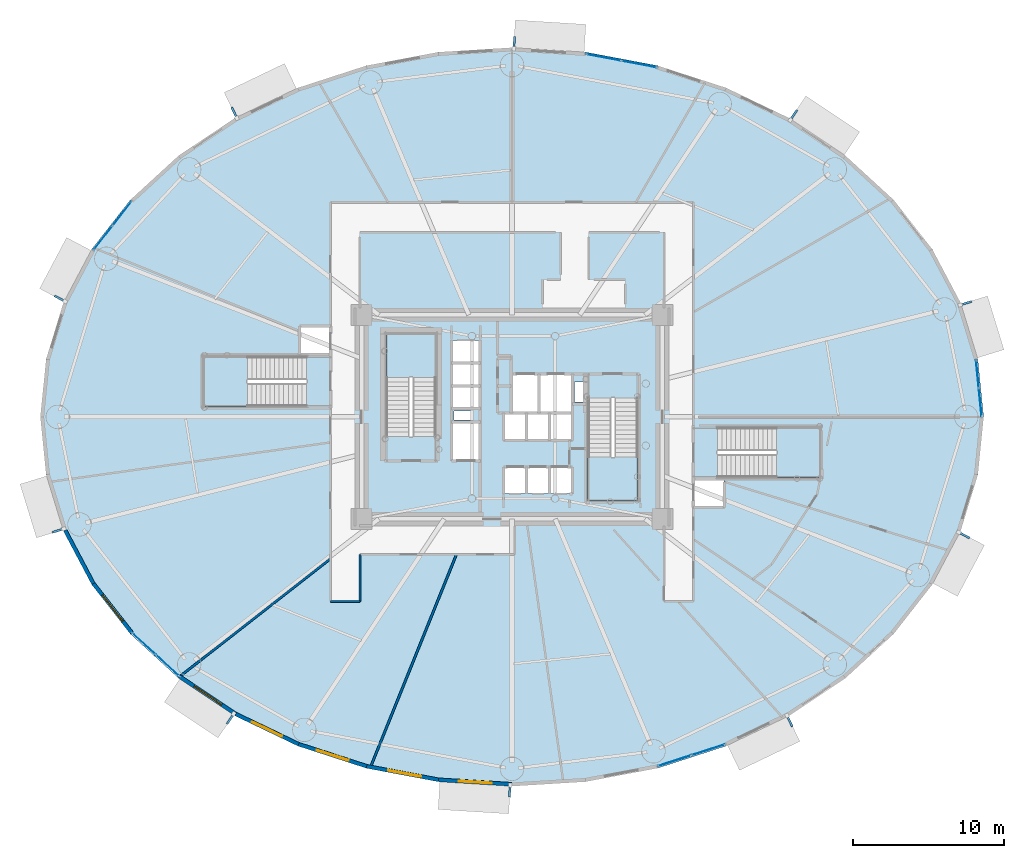
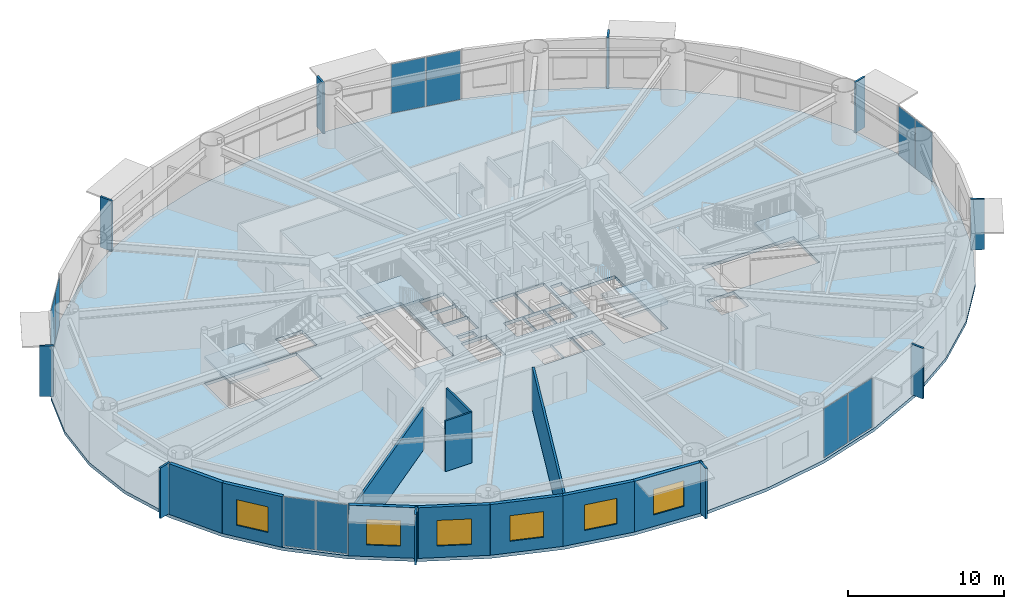
# One storey, part 12 of 29: 20 plates, 11 walls, 6 windows, 5 slabs, 6 openings, 9 elements without a shape of their own.
"""IFC4 building model written with IfcOpenShell, lengths in metres."""

from ifc_helpers import new_model, si_unit, direction, frame, frame_2d, origin, origin_2d, place, context, subcontext, project, spatial, polyline, rectangle, outline, extrude, source, transform, mapped, material, layer, layer_set, type_object, element, fill, aggregate, save


model = new_model("IFC4")

# Units and contexts
model_context = context("Model", 3, precision=1e-05, world=origin(), true_north=direction((0.0, 1.0)))
body_context = subcontext(model_context, "Body", "Model", "MODEL_VIEW")
ifc_project = project(units=[si_unit("LENGTHUNIT", "METRE"), si_unit("AREAUNIT", "SQUARE_METRE"), si_unit("VOLUMEUNIT", "CUBIC_METRE"), si_unit("PLANEANGLEUNIT", "RADIAN"), si_unit("MASSUNIT", "GRAM", prefix="KILO")], contexts=[model_context])

# Site, building, storey
site_placement = place(None, origin())
site = spatial("IfcSite", under=ifc_project, at=site_placement, CompositionType="ELEMENT")
building_placement = place(site_placement, origin())
building = spatial("IfcBuilding", under=site, at=building_placement, Name="Linh Dai School and Residence Tower", CompositionType="ELEMENT")
storey_placement = place(building_placement, frame((0.0, 0.0, 45.0)))
storey = spatial("IfcBuildingStorey", under=building, at=storey_placement, Name="L10", CompositionType="ELEMENT", Elevation=45.0)

# Slab
ifc_material_1 = material(Name="Concrete B45 (C35/45)", Category="concrete")
ifc_layer_1 = layer(ifc_material_1, 0.25)
ifc_layer_set_1 = layer_set([ifc_layer_1], Name="Concrete B45 (C35/45)")
slab_type_1 = type_object("IfcSlabType", Name="SLB-FLR250", PredefinedType="FLOOR", material=ifc_layer_set_1)
slab_1_placement = place(storey_placement, frame((0.0, 0.0, -0.25)))
element("IfcSlab", 1, at=slab_1_placement, inside=storey, type_object=slab_type_1, Name="L10 Composite Structural Floor Slab", PredefinedType="FLOOR", context=body_context, shape_type="SweptSolid", body=[
    extrude(outline(polyline([(67.199951171875, 27.0), (66.81591796875, 30.82177734375), (65.6728515625, 34.54931640625), (63.79931640625, 38.091064453125), (61.2412109375, 41.359619140625), (58.061767578125, 44.274658203125), (54.3388671875, 46.764404296875), (50.16455078125, 48.767333984375), (45.641357421875, 50.234375), (40.880859375, 51.129150390625), (36.0, 51.429931640625), (31.119140625, 51.129150390625), (26.358642578125, 50.234375), (21.83544921875, 48.767333984375), (17.6611328125, 46.764404296875), (13.938232421875, 44.274658203125), (10.7587890625, 41.359619140625), (8.20068359375, 38.091064453125), (6.3271484375, 34.54931640625), (5.18408203125, 30.82177734375), (4.800048828125, 27.0), (5.18408203125, 23.17822265625), (6.3271484375, 19.45068359375), (8.20068359375, 15.908935546875), (10.7587890625, 12.640380859375), (13.938232421875, 9.725341796875), (17.6611328125, 7.235595703125), (21.83544921875, 5.232666015625), (26.358642578125, 3.765625), (31.119140625, 2.870849609375), (36.0, 2.570068359375), (40.880859375, 2.870849609375), (45.641357421875, 3.765625), (50.16455078125, 5.232666015625), (54.3388671875, 7.235595703125), (58.061767578125, 9.725341796875), (61.2412109375, 12.640380859375), (63.79931640625, 15.908935546875), (65.6728515625, 19.45068359375), (66.81591796875, 23.17822265625), (67.199951171875, 27.0)]), holes=[polyline([(30.97998046875, 25.699951171875), (30.97998046875, 32.5), (27.679931640625, 32.5), (27.679931640625, 25.699951171875), (30.97998046875, 25.699951171875)]), polyline([(41.02001953125, 28.25), (41.02001953125, 21.449951171875), (44.320068359375, 21.449951171875), (44.320068359375, 28.25), (41.02001953125, 28.25)]), polyline([(22.39990234375, 31.0), (15.60009765625, 31.0), (15.60009765625, 27.699951171875), (22.39990234375, 27.699951171875), (22.39990234375, 31.0)]), polyline([(49.60009765625, 23.0), (56.39990234375, 23.0), (56.39990234375, 26.300048828125), (49.60009765625, 26.300048828125), (49.60009765625, 23.0)]), polyline([(35.97998046875, 27.280029296875), (37.77001953125, 27.280029296875), (37.77001953125, 29.820068359375), (35.97998046875, 29.820068359375), (35.97998046875, 27.280029296875)]), polyline([(32.030029296875, 24.1298828125), (33.8701171875, 24.1298828125), (33.8701171875, 26.6201171875), (32.030029296875, 26.6201171875), (32.030029296875, 24.1298828125)]), polyline([(37.830078125, 27.280029296875), (39.969970703125, 27.280029296875), (39.969970703125, 29.820068359375), (37.830078125, 29.820068359375), (37.830078125, 27.280029296875)]), polyline([(35.47998046875, 21.929931640625), (36.929931640625, 21.929931640625), (36.929931640625, 23.669921875), (35.47998046875, 23.669921875), (35.47998046875, 21.929931640625)]), polyline([(36.989990234375, 21.929931640625), (38.449951171875, 21.929931640625), (38.449951171875, 23.669921875), (36.989990234375, 23.669921875), (36.989990234375, 21.929931640625)]), polyline([(38.510009765625, 21.929931640625), (39.969970703125, 21.929931640625), (39.969970703125, 23.669921875), (38.510009765625, 23.669921875), (38.510009765625, 21.929931640625)]), polyline([(32.030029296875, 27.580078125), (33.8701171875, 27.580078125), (33.8701171875, 29.030029296875), (32.030029296875, 29.030029296875), (32.030029296875, 27.580078125)]), polyline([(32.030029296875, 29.090087890625), (33.8701171875, 29.090087890625), (33.8701171875, 30.550048828125), (32.030029296875, 30.550048828125), (32.030029296875, 29.090087890625)]), polyline([(32.030029296875, 30.610107421875), (33.8701171875, 30.610107421875), (33.8701171875, 32.070068359375), (32.030029296875, 32.070068359375), (32.030029296875, 30.610107421875)]), polyline([(35.47998046875, 25.47998046875), (36.929931640625, 25.47998046875), (36.929931640625, 27.219970703125), (35.47998046875, 27.219970703125), (35.47998046875, 25.47998046875)]), polyline([(36.989990234375, 25.47998046875), (38.449951171875, 25.47998046875), (38.449951171875, 27.219970703125), (36.989990234375, 27.219970703125), (36.989990234375, 25.47998046875)]), polyline([(38.510009765625, 25.47998046875), (39.969970703125, 25.47998046875), (39.969970703125, 27.219970703125), (38.510009765625, 27.219970703125), (38.510009765625, 25.47998046875)]), polyline([(21.97998046875, 31.080078125), (23.969970703125, 31.080078125), (23.969970703125, 32.969970703125), (21.97998046875, 32.969970703125), (21.97998046875, 31.080078125)]), polyline([(48.030029296875, 21.030029296875), (50.02001953125, 21.030029296875), (50.02001953125, 22.919921875), (48.030029296875, 22.919921875), (48.030029296875, 21.030029296875)]), polyline([(40.14990234375, 28.0), (40.14990234375, 29.300048828125), (41.0, 29.300048828125), (41.0, 28.280029296875), (40.989990234375, 28.280029296875), (40.989990234375, 28.0), (40.14990234375, 28.0)]), polyline([(32.14990234375, 26.800048828125), (33.35009765625, 26.800048828125), (33.35009765625, 27.39990234375), (32.14990234375, 27.39990234375), (32.14990234375, 26.800048828125)])]), origin(), (0.0, 0.0, 1.0), 0.25),
])

# Stair, slab
stair_type = type_object("IfcStairType", Name="ST-DOG-1550-R1500", PredefinedType="HALF_TURN_STAIR", material=ifc_material_1)
stair_1_placement = place(storey_placement, origin())
stair_1 = element("IfcStair", 2, at=stair_1_placement, inside=storey, type_object=stair_type, Name="L10 Core Smokeproof Exit Stair ST1", PredefinedType="HALF_TURN_STAIR")
ifc_layer_2 = layer(ifc_material_1, 0.199951171875)
ifc_layer_set_2 = layer_set([ifc_layer_2], Name="Concrete B45 (C35/45)")
slab_type_2 = type_object("IfcSlabType", Name="SLB-ST-LANDING-200", PredefinedType="LANDING", material=ifc_layer_set_2)
slab_2_placement = place(storey_placement, frame((0.0, 0.0, 1.89990234375)))
slab_2 = element("IfcSlab", 3, at=slab_2_placement, type_object=slab_type_2, Name="ST1 landing 1", PredefinedType="LANDING", context=body_context, shape_type="SweptSolid", body=[
    extrude(outline(polyline([(30.97998046875, 29.60009765625), (30.97998046875, 32.5), (27.679931640625, 32.5), (27.679931640625, 29.60009765625), (30.97998046875, 29.60009765625)])), origin(), (0.0, 0.0, 1.0), 0.2001953125),
])
aggregate(stair_1, [slab_2])

stair_2_placement = place(storey_placement, origin())
stair_2 = element("IfcStair", 4, at=stair_2_placement, inside=storey, type_object=stair_type, Name="L10 Core Smokeproof Exit Stair ST2", PredefinedType="HALF_TURN_STAIR")
slab_3_placement = place(storey_placement, frame((0.0, 0.0, 1.89990234375)))
slab_3 = element("IfcSlab", 5, at=slab_3_placement, type_object=slab_type_2, Name="ST2 landing 1", PredefinedType="LANDING", context=body_context, shape_type="SweptSolid", body=[
    extrude(outline(polyline([(41.02001953125, 24.35009765625), (41.02001953125, 21.449951171875), (44.320068359375, 21.449951171875), (44.320068359375, 24.35009765625), (41.02001953125, 24.35009765625)])), origin(), (0.0, 0.0, 1.0), 0.2001953125),
])
aggregate(stair_2, [slab_3])

stair_3_placement = place(storey_placement, origin())
stair_3 = element("IfcStair", 6, at=stair_3_placement, inside=storey, type_object=stair_type, Name="L10 School Exit Stair STS1", PredefinedType="HALF_TURN_STAIR")
slab_4_placement = place(storey_placement, frame((0.0, 0.0, 1.89990234375)))
slab_4 = element("IfcSlab", 7, at=slab_4_placement, type_object=slab_type_2, Name="STS1 landing 1", PredefinedType="LANDING", context=body_context, shape_type="SweptSolid", body=[
    extrude(outline(polyline([(18.5, 31.0), (15.60009765625, 31.0), (15.60009765625, 27.699951171875), (18.5, 27.699951171875), (18.5, 31.0)])), origin(), (0.0, 0.0, 1.0), 0.2001953125),
])
aggregate(stair_3, [slab_4])

stair_4_placement = place(storey_placement, origin())
stair_4 = element("IfcStair", 8, at=stair_4_placement, inside=storey, type_object=stair_type, Name="L10 School Exit Stair STS2", PredefinedType="HALF_TURN_STAIR")
slab_5_placement = place(storey_placement, frame((0.0, 0.0, 1.89990234375)))
slab_5 = element("IfcSlab", 9, at=slab_5_placement, type_object=slab_type_2, Name="STS2 landing 1", PredefinedType="LANDING", context=body_context, shape_type="SweptSolid", body=[
    extrude(outline(polyline([(53.5, 23.0), (56.39990234375, 23.0), (56.39990234375, 26.300048828125), (53.5, 26.300048828125), (53.5, 23.0)])), origin(), (0.0, 0.0, 1.0), 0.2001953125),
])
aggregate(stair_4, [slab_5])

# Curtain wall, plates
ifc_material_2 = material(Name="Aluminium Anodised Curtain Wall", Category="aluminium")
ifc_layer_3 = layer(ifc_material_2, 0.159912109375)
ifc_layer_set_3 = layer_set([ifc_layer_3], Name="Aluminium Anodised Curtain Wall")
curtain_wall_type = type_object("IfcCurtainWallType", Name="CW-SYS-3", PredefinedType="USERDEFINED", material=ifc_layer_set_3)
curtain_wall_1_placement = place(storey_placement, origin())
curtain_wall_1 = element("IfcCurtainWall", 10, at=curtain_wall_1_placement, inside=storey, type_object=curtain_wall_type, Name="L10 CW3 Curtain Wall 01", ObjectType="RIBBON CURTAIN WALL", PredefinedType="USERDEFINED")
ifc_material_3 = material(Name="Double Low-E Insulated Glazing", Category="glass")
ifc_layer_4 = layer(ifc_material_3, 0.028076171875)
ifc_layer_set_4 = layer_set([ifc_layer_4], Name="Double Low-E Insulated Glazing")
plate_type_1 = type_object("IfcPlateType", Name="CW-SYS-3-PAN", PredefinedType="CURTAIN_PANEL", material=ifc_layer_set_4)
shared_shape_1 = source(origin(), body_context, "Body", "SweptSolid", [
    extrude(rectangle(XDim=1.825439453125, YDim=0.028076171875, at=origin_2d()), origin(), (0.0, 0.0, 1.0), 3.840087890625),
])
plate_1_placement = place(storey_placement, frame((66.7900390625, 29.833984375, 0.05517578125), z_axis=(0.0, 0.0, 1.0), x_axis=(0.100009387998, -0.994986493533, 0.0)))
plate_1 = element("IfcPlate", 11, at=plate_1_placement, type_object=plate_type_1, Name="CW3 panel 1.1", PredefinedType="CURTAIN_PANEL", context=body_context, shape_type="MappedRepresentation", body=[
    mapped(shared_shape_1, transform((0.0, 0.0, 0.0), x_axis=(1.0, 0.0, 0.0), y_axis=(0.0, 1.0, 0.0), z_axis=(0.0, 0.0, 1.0), scale=1.0)),
])
plate_2_placement = place(storey_placement, frame((66.978271484375, 27.962890625, 0.05517578125), z_axis=(0.0, 0.0, 1.0), x_axis=(0.100009387998, -0.994986493533, 0.0)))
plate_2 = element("IfcPlate", 12, at=plate_2_placement, type_object=plate_type_1, Name="CW3 panel 2.1", PredefinedType="CURTAIN_PANEL", context=body_context, shape_type="MappedRepresentation", body=[
    mapped(shared_shape_1, transform((0.0, 0.0, 0.0), x_axis=(1.0, 0.0, 0.0), y_axis=(0.0, 1.0, 0.0), z_axis=(0.0, 0.0, 1.0), scale=1.0)),
])
aggregate(curtain_wall_1, [plate_1, plate_2])

# Plates
ifc_material_4 = material(Name="Precast Concrete B45 (C35/45)", Category="concrete")
ifc_layer_5 = layer(ifc_material_4, 0.139892578125)
ifc_layer_set_5 = layer_set([ifc_layer_5], Name="Precast Concrete B45 (C35/45)")
plate_type_2 = type_object("IfcPlateType", Name="FIN-TC-900x140", PredefinedType="USERDEFINED", material=ifc_layer_set_5)
shared_shape_2 = source(origin(), body_context, "Body", "SweptSolid", [
    extrude(rectangle(XDim=0.89990234375, YDim=0.139892578125, at=origin_2d()), origin(), (0.0, 0.0, 1.0), 3.949951171875),
])
for number, where, z_axis, x_axis, name in (
    (13, (65.984619140625, 34.5068359375, 0.0), (0.0, 0.0, 1.0), (0.956067769001, 0.293145733514, 0.0), "L10 Precast Terracotta Radial Fin 02"),
    (14, (54.604736328125, 46.9296875, 0.0), (0.0, 0.0, 1.0), (0.555897899828, 0.831250578927, 0.0), "L10 Precast Terracotta Radial Fin 06"),
    (15, (36.14501953125, 51.706787109375, 0.0), (0.0, 0.0, 1.0), (0.061506595367, 0.998106677027, 0.0), "L10 Precast Terracotta Radial Fin 10"),
    (16, (17.65380859375, 47.0771484375, 0.0), (0.0, 0.0, 1.0), (-0.432603008528, 0.901584514626, 0.0), "L10 Precast Terracotta Radial Fin 14"),
    (17, (6.13623046875, 34.799072265625, 0.0), (0.0, 0.0, 1.0), (-0.883933862645, 0.467611940042, 0.0), "L10 Precast Terracotta Radial Fin 18"),
    (18, (6.015380859375, 19.4931640625, 0.0), (0.0, 0.0, 1.0), (-0.956067769001, -0.293145733514, 0.0), "L10 Precast Terracotta Radial Fin 22"),
    (19, (17.395263671875, 7.0703125, 0.0), (0.0, 0.0, 1.0), (-0.555897899828, -0.831250578927, 0.0), "L10 Precast Terracotta Radial Fin 26"),
    (20, (35.85498046875, 2.293212890625, 0.0), (0.0, 0.0, 1.0), (-0.061506595367, -0.998106677027, 0.0), "L10 Precast Terracotta Radial Fin 30"),
    (21, (54.34619140625, 6.9228515625, 0.0), (0.0, 0.0, 1.0), (0.432603008528, -0.901584514626, 0.0), "L10 Precast Terracotta Radial Fin 34"),
    (22, (65.86376953125, 19.200927734375, 0.0), (0.0, 0.0, 1.0), (0.883933862645, -0.467611940042, 0.0), "L10 Precast Terracotta Radial Fin 38"),
):
    element("IfcPlate", number, at=place(storey_placement, frame(where, z_axis=z_axis, x_axis=x_axis)), inside=storey, type_object=plate_type_2, Name=name, ObjectType="RADIAL FIN", PredefinedType="USERDEFINED", context=body_context, shape_type="MappedRepresentation", body=[
        mapped(shared_shape_2, transform((0.0, 0.0, 0.0), x_axis=(1.0, 0.0, 0.0), y_axis=(0.0, 1.0, 0.0), z_axis=(0.0, 0.0, 1.0), scale=1.0)),
    ])

# Curtain wall, plates
curtain_wall_2_placement = place(storey_placement, origin())
curtain_wall_2 = element("IfcCurtainWall", 23, at=curtain_wall_2_placement, inside=storey, type_object=curtain_wall_type, Name="L10 CW3 Curtain Wall 09", ObjectType="RIBBON CURTAIN WALL", PredefinedType="USERDEFINED")
shared_shape_3 = source(origin(), body_context, "Body", "SweptSolid", [
    extrude(rectangle(XDim=2.33154296875, YDim=0.028076171875, at=origin_2d()), origin(), (0.0, 0.0, 1.0), 3.840087890625),
])
plate_3_placement = place(storey_placement, frame((42.065185546875, 50.779541015625, 0.05517578125), z_axis=(0.0, 0.0, 1.0), x_axis=(0.982785935675, -0.184747948944, 0.0)))
plate_3 = element("IfcPlate", 24, at=plate_3_placement, type_object=plate_type_1, Name="CW3 panel 1.1", PredefinedType="CURTAIN_PANEL", context=body_context, shape_type="MappedRepresentation", body=[
    mapped(shared_shape_3, transform((0.0, 0.0, 0.0), x_axis=(1.0, 0.0, 0.0), y_axis=(0.0, 1.0, 0.0), z_axis=(0.0, 0.0, 1.0), scale=1.0)),
])
plate_4_placement = place(storey_placement, frame((44.41064453125, 50.338623046875, 0.05517578125), z_axis=(0.0, 0.0, 1.0), x_axis=(0.982785935675, -0.184747948944, 0.0)))
plate_4 = element("IfcPlate", 25, at=plate_4_placement, type_object=plate_type_1, Name="CW3 panel 2.1", PredefinedType="CURTAIN_PANEL", context=body_context, shape_type="MappedRepresentation", body=[
    mapped(shared_shape_3, transform((0.0, 0.0, 0.0), x_axis=(1.0, 0.0, 0.0), y_axis=(0.0, 1.0, 0.0), z_axis=(0.0, 0.0, 1.0), scale=1.0)),
])
aggregate(curtain_wall_2, [plate_3, plate_4])

curtain_wall_3_placement = place(storey_placement, origin())
curtain_wall_3 = element("IfcCurtainWall", 26, at=curtain_wall_3_placement, inside=storey, type_object=curtain_wall_type, Name="L10 CW3 Curtain Wall 17", ObjectType="RIBBON CURTAIN WALL", PredefinedType="USERDEFINED")
shared_shape_4 = source(origin(), body_context, "Body", "SweptSolid", [
    extrude(rectangle(XDim=1.982177734375, YDim=0.028076171875, at=origin_2d()), origin(), (0.0, 0.0, 1.0), 3.840087890625),
])
plate_5_placement = place(storey_placement, frame((8.9501953125, 38.8466796875, 0.05517578125), z_axis=(0.0, 0.0, 1.0), x_axis=(0.616319427785, 0.787496262172, 0.0)))
plate_5 = element("IfcPlate", 27, at=plate_5_placement, type_object=plate_type_1, Name="CW3 panel 1.1", PredefinedType="CURTAIN_PANEL", context=body_context, shape_type="MappedRepresentation", body=[
    mapped(shared_shape_4, transform((0.0, 0.0, 0.0), x_axis=(1.0, 0.0, 0.0), y_axis=(0.0, 1.0, 0.0), z_axis=(0.0, 0.0, 1.0), scale=1.0)),
])
plate_6_placement = place(storey_placement, frame((10.20556640625, 40.45068359375, 0.05517578125), z_axis=(0.0, 0.0, 1.0), x_axis=(0.616319427785, 0.787496262172, 0.0)))
plate_6 = element("IfcPlate", 28, at=plate_6_placement, type_object=plate_type_1, Name="CW3 panel 2.1", PredefinedType="CURTAIN_PANEL", context=body_context, shape_type="MappedRepresentation", body=[
    mapped(shared_shape_4, transform((0.0, 0.0, 0.0), x_axis=(1.0, 0.0, 0.0), y_axis=(0.0, 1.0, 0.0), z_axis=(0.0, 0.0, 1.0), scale=1.0)),
])
aggregate(curtain_wall_3, [plate_5, plate_6])

curtain_wall_4_placement = place(storey_placement, origin())
curtain_wall_4 = element("IfcCurtainWall", 29, at=curtain_wall_4_placement, inside=storey, type_object=curtain_wall_type, Name="L10 CW3 Curtain Wall 25", ObjectType="RIBBON CURTAIN WALL", PredefinedType="USERDEFINED")
shared_shape_5 = source(origin(), body_context, "Body", "SweptSolid", [
    extrude(rectangle(XDim=2.064453125, YDim=0.028076171875, at=origin_2d()), origin(), (0.0, 0.0, 1.0), 3.840087890625),
])
plate_7_placement = place(storey_placement, frame((13.2138671875, 10.55859375, 0.05517578125), z_axis=(0.0, 0.0, 1.0), x_axis=(-0.737113246362, 0.675769237268, 0.0)))
plate_7 = element("IfcPlate", 30, at=plate_7_placement, type_object=plate_type_1, Name="CW3 panel 1.1", PredefinedType="CURTAIN_PANEL", context=body_context, shape_type="MappedRepresentation", body=[
    mapped(shared_shape_5, transform((0.0, 0.0, 0.0), x_axis=(1.0, 0.0, 0.0), y_axis=(0.0, 1.0, 0.0), z_axis=(0.0, 0.0, 1.0), scale=1.0)),
])
plate_8_placement = place(storey_placement, frame((11.651611328125, 11.99072265625, 0.05517578125), z_axis=(0.0, 0.0, 1.0), x_axis=(-0.737113246362, 0.675769237268, 0.0)))
plate_8 = element("IfcPlate", 31, at=plate_8_placement, type_object=plate_type_1, Name="CW3 panel 2.1", PredefinedType="CURTAIN_PANEL", context=body_context, shape_type="MappedRepresentation", body=[
    mapped(shared_shape_5, transform((0.0, 0.0, 0.0), x_axis=(1.0, 0.0, 0.0), y_axis=(0.0, 1.0, 0.0), z_axis=(0.0, 0.0, 1.0), scale=1.0)),
])
aggregate(curtain_wall_4, [plate_7, plate_8])

curtain_wall_5_placement = place(storey_placement, origin())
curtain_wall_5 = element("IfcCurtainWall", 32, at=curtain_wall_5_placement, inside=storey, type_object=curtain_wall_type, Name="L10 CW3 Curtain Wall 33", ObjectType="RIBBON CURTAIN WALL", PredefinedType="USERDEFINED")
shared_shape_6 = source(origin(), body_context, "Body", "SweptSolid", [
    extrude(rectangle(XDim=2.286865234375, YDim=0.028076171875, at=origin_2d()), origin(), (0.0, 0.0, 1.0), 3.840087890625),
])
plate_9_placement = place(storey_placement, frame((48.978271484375, 4.97900390625, 0.05517578125), z_axis=(0.0, 0.0, 1.0), x_axis=(-0.951220777043, -0.308510993844, 0.0)))
plate_9 = element("IfcPlate", 33, at=plate_9_placement, type_object=plate_type_1, Name="CW3 panel 1.1", PredefinedType="CURTAIN_PANEL", context=body_context, shape_type="MappedRepresentation", body=[
    mapped(shared_shape_6, transform((0.0, 0.0, 0.0), x_axis=(1.0, 0.0, 0.0), y_axis=(0.0, 1.0, 0.0), z_axis=(0.0, 0.0, 1.0), scale=1.0)),
])
plate_10_placement = place(storey_placement, frame((46.75048828125, 4.256591796875, 0.05517578125), z_axis=(0.0, 0.0, 1.0), x_axis=(-0.951220777043, -0.308510993844, 0.0)))
plate_10 = element("IfcPlate", 34, at=plate_10_placement, type_object=plate_type_1, Name="CW3 panel 2.1", PredefinedType="CURTAIN_PANEL", context=body_context, shape_type="MappedRepresentation", body=[
    mapped(shared_shape_6, transform((0.0, 0.0, 0.0), x_axis=(1.0, 0.0, 0.0), y_axis=(0.0, 1.0, 0.0), z_axis=(0.0, 0.0, 1.0), scale=1.0)),
])
aggregate(curtain_wall_5, [plate_9, plate_10])

# Wall
ifc_layer_6 = layer(ifc_material_4, 0.25)
ifc_layer_set_6 = layer_set([ifc_layer_6], Name="Precast Concrete B45 (C35/45)")
wall_type_1 = type_object("IfcWallType", Name="EW-TC-250", PredefinedType="SOLIDWALL", material=ifc_layer_set_6)
wall_1_placement = place(storey_placement, frame((8.305419921875, 15.977294921875, 0.0), z_axis=(0.0, 0.0, 1.0), x_axis=(-0.467662443071, 0.883907144072, 0.0)))
element("IfcWall", 35, at=wall_1_placement, inside=storey, type_object=wall_type_1, Name="L10 Terracotta Exterior Wall 23", PredefinedType="SOLIDWALL", context=body_context, shape_type="SweptSolid", body=[
    extrude(rectangle(XDim=3.983642578125, YDim=0.25, at=frame_2d((1.99169921875, 0.0))), origin(), (0.0, 0.0, 1.0), 3.949951171875),
])

# Wall, opening, window
wall_2_placement = place(storey_placement, frame((10.850341796875, 12.725341796875, 0.0), z_axis=(0.0, 0.0, 1.0), x_axis=(-0.616295508253, 0.787514981767, 0.0)))
wall_2 = element("IfcWall", 36, at=wall_2_placement, inside=storey, type_object=wall_type_1, Name="L10 Terracotta Exterior Wall 24", PredefinedType="SOLIDWALL", context=body_context, shape_type="SweptSolid", body=[
    extrude(rectangle(XDim=4.12939453125, YDim=0.25, at=frame_2d((2.064697265625, 0.0))), origin(), (0.0, 0.0, 1.0), 3.949951171875),
])
opening_1_placement = place(wall_2_placement, frame((0.964599609375, 0.0, 0.89990234375)))
opening_1 = element("IfcOpeningElement", 37, at=opening_1_placement, cuts=wall_2, Name="Opening W4", PredefinedType="OPENING", context=body_context, shape_type="SweptSolid", body=[
    extrude(rectangle(XDim=2.199951171875, YDim=2.0, at=origin_2d()), frame((1.10009765625, 0.135009765625, 1.0), z_axis=(0.0, -1.0, 0.0), x_axis=(1.0, 0.0, 0.0)), (0.0, 0.0, 1.0), 0.27001953125),
])
ifc_material_5 = material(Name="Acoustic Laminated Low-E Glazing", Category="glass")
window_type = type_object("IfcWindowType", Name="WN-SCH-2200x2000", PartitioningType="TRIPLE_PANEL_VERTICAL", PredefinedType="WINDOW", material=ifc_material_5)
shared_shape_7 = source(origin(), body_context, "Body", "SweptSolid", [
    extrude(rectangle(XDim=2.199951171875, YDim=2.0, at=origin_2d()), frame((1.10009765625, 0.030029296875, 1.0), z_axis=(0.0, -1.0, 0.0), x_axis=(1.0, 0.0, 0.0)), (0.0, 0.0, 1.0), 0.06005859375),
])
window_1_placement = place(opening_1_placement, origin())
window_1 = element("IfcWindow", 38, at=window_1_placement, inside=storey, type_object=window_type, Name="L10 Exterior Window 24.1", OverallHeight=2.0, OverallWidth=2.199951171875, PartitioningType="TRIPLE_PANEL_VERTICAL", PredefinedType="WINDOW", context=body_context, shape_type="MappedRepresentation", body=[
    mapped(shared_shape_7, transform((0.0, 0.0, 0.0), x_axis=(1.0, 0.0, 0.0), y_axis=(0.0, 1.0, 0.0), z_axis=(0.0, 0.0, 1.0), scale=1.0)),
])
fill(opening_1, window_1)

wall_3_placement = place(storey_placement, frame((17.722900390625, 7.34423828125, 0.0), z_axis=(0.0, 0.0, 1.0), x_axis=(-0.831240982525, 0.555912249343, 0.0)))
wall_3 = element("IfcWall", 39, at=wall_3_placement, inside=storey, type_object=wall_type_1, Name="L10 Terracotta Exterior Wall 26", PredefinedType="SOLIDWALL", context=body_context, shape_type="SweptSolid", body=[
    extrude(rectangle(XDim=4.460205078125, YDim=0.25, at=frame_2d((2.22998046875, 0.0))), origin(), (0.0, 0.0, 1.0), 3.949951171875),
])
opening_2_placement = place(wall_3_placement, frame((1.114013671875, 0.0, 0.89990234375)))
opening_2 = element("IfcOpeningElement", 40, at=opening_2_placement, cuts=wall_3, Name="Opening W4", PredefinedType="OPENING", context=body_context, shape_type="SweptSolid", body=[
    extrude(rectangle(XDim=2.199951171875, YDim=2.0, at=origin_2d()), frame((1.10009765625, 0.135009765625, 1.0), z_axis=(0.0, -1.0, 0.0), x_axis=(1.0, 0.0, 0.0)), (0.0, 0.0, 1.0), 0.27001953125),
])
window_2_placement = place(opening_2_placement, origin())
window_2 = element("IfcWindow", 41, at=window_2_placement, inside=storey, type_object=window_type, Name="L10 Exterior Window 26.1", OverallHeight=2.0, OverallWidth=2.199951171875, PartitioningType="TRIPLE_PANEL_VERTICAL", PredefinedType="WINDOW", context=body_context, shape_type="MappedRepresentation", body=[
    mapped(shared_shape_7, transform((0.0, 0.0, 0.0), x_axis=(1.0, 0.0, 0.0), y_axis=(0.0, 1.0, 0.0), z_axis=(0.0, 0.0, 1.0), scale=1.0)),
])
fill(opening_2, window_2)

wall_4_placement = place(storey_placement, frame((21.8818359375, 5.348876953125, 0.0), z_axis=(0.0, 0.0, 1.0), x_axis=(-0.901601503137, 0.432567601123, 0.0)))
wall_4 = element("IfcWall", 42, at=wall_4_placement, inside=storey, type_object=wall_type_1, Name="L10 Terracotta Exterior Wall 27", PredefinedType="SOLIDWALL", context=body_context, shape_type="SweptSolid", body=[
    extrude(rectangle(XDim=4.61279296875, YDim=0.25, at=frame_2d((2.306396484375, 0.0))), origin(), (0.0, 0.0, 1.0), 3.949951171875),
])
opening_3_placement = place(wall_4_placement, frame((1.206298828125, 0.0, 0.89990234375)))
opening_3 = element("IfcOpeningElement", 43, at=opening_3_placement, cuts=wall_4, Name="Opening W4", PredefinedType="OPENING", context=body_context, shape_type="SweptSolid", body=[
    extrude(rectangle(XDim=2.199951171875, YDim=2.0, at=origin_2d()), frame((1.10009765625, 0.135009765625, 1.0), z_axis=(0.0, -1.0, 0.0), x_axis=(1.0, 0.0, 0.0)), (0.0, 0.0, 1.0), 0.27001953125),
])
window_3_placement = place(opening_3_placement, origin())
window_3 = element("IfcWindow", 44, at=window_3_placement, inside=storey, type_object=window_type, Name="L10 Exterior Window 27.1", OverallHeight=2.0, OverallWidth=2.199951171875, PartitioningType="TRIPLE_PANEL_VERTICAL", PredefinedType="WINDOW", context=body_context, shape_type="MappedRepresentation", body=[
    mapped(shared_shape_7, transform((0.0, 0.0, 0.0), x_axis=(1.0, 0.0, 0.0), y_axis=(0.0, 1.0, 0.0), z_axis=(0.0, 0.0, 1.0), scale=1.0)),
])
fill(opening_3, window_3)

wall_5_placement = place(storey_placement, frame((26.389404296875, 3.88671875, 0.0), z_axis=(0.0, 0.0, 1.0), x_axis=(-0.951207699013, 0.308551313946, 0.0)))
wall_5 = element("IfcWall", 45, at=wall_5_placement, inside=storey, type_object=wall_type_1, Name="L10 Terracotta Exterior Wall 28", PredefinedType="SOLIDWALL", context=body_context, shape_type="SweptSolid", body=[
    extrude(rectangle(XDim=4.73876953125, YDim=0.25, at=frame_2d((2.369384765625, 0.0))), origin(), (0.0, 0.0, 1.0), 3.949951171875),
])
opening_4_placement = place(wall_5_placement, frame((1.269287109375, 0.0, 0.89990234375)))
opening_4 = element("IfcOpeningElement", 46, at=opening_4_placement, cuts=wall_5, Name="Opening W4", PredefinedType="OPENING", context=body_context, shape_type="SweptSolid", body=[
    extrude(rectangle(XDim=2.199951171875, YDim=2.0, at=origin_2d()), frame((1.10009765625, 0.135009765625, 1.0), z_axis=(0.0, -1.0, 0.0), x_axis=(1.0, 0.0, 0.0)), (0.0, 0.0, 1.0), 0.27001953125),
])
window_4_placement = place(opening_4_placement, origin())
window_4 = element("IfcWindow", 47, at=window_4_placement, inside=storey, type_object=window_type, Name="L10 Exterior Window 28.1", OverallHeight=2.0, OverallWidth=2.199951171875, PartitioningType="TRIPLE_PANEL_VERTICAL", PredefinedType="WINDOW", context=body_context, shape_type="MappedRepresentation", body=[
    mapped(shared_shape_7, transform((0.0, 0.0, 0.0), x_axis=(1.0, 0.0, 0.0), y_axis=(0.0, 1.0, 0.0), z_axis=(0.0, 0.0, 1.0), scale=1.0)),
])
fill(opening_4, window_4)

wall_6_placement = place(storey_placement, frame((31.134521484375, 2.994873046875, 0.0), z_axis=(0.0, 0.0, 1.0), x_axis=(-0.982791952378, 0.184715939598, 0.0)))
wall_6 = element("IfcWall", 48, at=wall_6_placement, inside=storey, type_object=wall_type_1, Name="L10 Terracotta Exterior Wall 29", PredefinedType="SOLIDWALL", context=body_context, shape_type="SweptSolid", body=[
    extrude(rectangle(XDim=4.828125, YDim=0.25, at=frame_2d((2.4140625, 0.0))), origin(), (0.0, 0.0, 1.0), 3.949951171875),
])
opening_5_placement = place(wall_6_placement, frame((1.1767578125, 0.0, 0.89990234375)))
opening_5 = element("IfcOpeningElement", 49, at=opening_5_placement, cuts=wall_6, Name="Opening W4", PredefinedType="OPENING", context=body_context, shape_type="SweptSolid", body=[
    extrude(rectangle(XDim=2.199951171875, YDim=2.0, at=origin_2d()), frame((1.10009765625, 0.135009765625, 1.0), z_axis=(0.0, -1.0, 0.0), x_axis=(1.0, 0.0, 0.0)), (0.0, 0.0, 1.0), 0.27001953125),
])
window_5_placement = place(opening_5_placement, origin())
window_5 = element("IfcWindow", 50, at=window_5_placement, inside=storey, type_object=window_type, Name="L10 Exterior Window 29.1", OverallHeight=2.0, OverallWidth=2.199951171875, PartitioningType="TRIPLE_PANEL_VERTICAL", PredefinedType="WINDOW", context=body_context, shape_type="MappedRepresentation", body=[
    mapped(shared_shape_7, transform((0.0, 0.0, 0.0), x_axis=(1.0, 0.0, 0.0), y_axis=(0.0, 1.0, 0.0), z_axis=(0.0, 0.0, 1.0), scale=1.0)),
])
fill(opening_5, window_5)

wall_7_placement = place(storey_placement, frame((36.0, 2.695068359375, 0.0), z_axis=(0.0, 0.0, 1.0), x_axis=(-0.998106954071, 0.061502099433, 0.0)))
wall_7 = element("IfcWall", 51, at=wall_7_placement, inside=storey, type_object=wall_type_1, Name="L10 Terracotta Exterior Wall 30", PredefinedType="SOLIDWALL", context=body_context, shape_type="SweptSolid", body=[
    extrude(rectangle(XDim=4.874755859375, YDim=0.25, at=frame_2d((2.4375, 0.0))), origin(), (0.0, 0.0, 1.0), 3.949951171875),
])
opening_6_placement = place(wall_7_placement, frame((1.33740234375, 0.0, 0.89990234375)))
opening_6 = element("IfcOpeningElement", 52, at=opening_6_placement, cuts=wall_7, Name="Opening W4", PredefinedType="OPENING", context=body_context, shape_type="SweptSolid", body=[
    extrude(rectangle(XDim=2.199951171875, YDim=2.0, at=origin_2d()), frame((1.10009765625, 0.135009765625, 1.0), z_axis=(0.0, -1.0, 0.0), x_axis=(1.0, 0.0, 0.0)), (0.0, 0.0, 1.0), 0.27001953125),
])
window_6_placement = place(opening_6_placement, origin())
window_6 = element("IfcWindow", 53, at=window_6_placement, inside=storey, type_object=window_type, Name="L10 Exterior Window 30.1", OverallHeight=2.0, OverallWidth=2.199951171875, PartitioningType="TRIPLE_PANEL_VERTICAL", PredefinedType="WINDOW", context=body_context, shape_type="MappedRepresentation", body=[
    mapped(shared_shape_7, transform((0.0, 0.0, 0.0), x_axis=(1.0, 0.0, 0.0), y_axis=(0.0, 1.0, 0.0), z_axis=(0.0, 0.0, 1.0), scale=1.0)),
])
fill(opening_6, window_6)

# Walls
ifc_material_6 = material(Name="Autoclaved Aerated Concrete Blockwork", Category="masonry")
ifc_layer_7 = layer(ifc_material_6, 0.135009765625)
ifc_layer_set_7 = layer_set([ifc_layer_7], Name="Autoclaved Aerated Concrete Blockwork")
wall_type_2 = type_object("IfcWallType", Name="IW-CORR-135-EI90", PredefinedType="PARTITIONING", material=ifc_layer_set_7)
wall_8_placement = place(storey_placement, frame((24.0, 14.800048828125, 0.0), z_axis=(0.0, 0.0, 1.0), x_axis=(1.0, 0.0, 0.0)))
element("IfcWall", 54, at=wall_8_placement, inside=storey, type_object=wall_type_2, Name="L10 Interior Partition Wall 011", PredefinedType="PARTITIONING", context=body_context, shape_type="SweptSolid", body=[
    extrude(rectangle(XDim=1.949951171875, YDim=0.135009765625, at=frame_2d((0.97509765625, 0.0))), origin(), (0.0, 0.0, 1.0), 3.949951171875),
])
wall_9_placement = place(storey_placement, frame((25.949951171875, 14.800048828125, 0.0), z_axis=(0.0, 0.0, 1.0), x_axis=(0.0, 1.0, 0.0)))
element("IfcWall", 55, at=wall_9_placement, inside=storey, type_object=wall_type_2, Name="L10 Interior Partition Wall 015", PredefinedType="PARTITIONING", context=body_context, shape_type="SweptSolid", body=[
    extrude(rectangle(XDim=3.099853515625, YDim=0.135009765625, at=frame_2d((1.5498046875, 0.0))), origin(), (0.0, 0.0, 1.0), 3.949951171875),
])
ifc_layer_8 = layer(ifc_material_6, 0.14990234375)
ifc_layer_set_8 = layer_set([ifc_layer_8], Name="Autoclaved Aerated Concrete Blockwork")
wall_type_3 = type_object("IfcWallType", Name="IW-SCH-150-EI60", PredefinedType="PARTITIONING", material=ifc_layer_set_8)
wall_10_placement = place(storey_placement, frame((14.011474609375, 9.820556640625, 0.0), z_axis=(0.0, 0.0, 1.0), x_axis=(0.788008313235, 0.615664598846, 0.0)))
element("IfcWall", 56, at=wall_10_placement, inside=storey, type_object=wall_type_3, Name="L10 Interior Partition Wall 003", PredefinedType="PARTITIONING", context=body_context, shape_type="SweptSolid", body=[
    extrude(rectangle(XDim=12.67578125, YDim=0.14990234375, at=frame_2d((6.337890625, 0.0))), origin(), (0.0, 0.0, 1.0), 3.284912109375),
])
wall_11_placement = place(storey_placement, frame((26.640625, 3.83447265625, 0.0), z_axis=(0.0, 0.0, 1.0), x_axis=(0.374596093515, 0.927188096733, 0.0)))
element("IfcWall", 57, at=wall_11_placement, inside=storey, type_object=wall_type_3, Name="L10 Interior Partition Wall 017", PredefinedType="PARTITIONING", context=body_context, shape_type="SweptSolid", body=[
    extrude(rectangle(XDim=15.169921875, YDim=0.14990234375, at=frame_2d((7.5849609375, 0.0))), origin(), (0.0, 0.0, 1.0), 3.3349609375),
])

save(model, "model.ifc")
